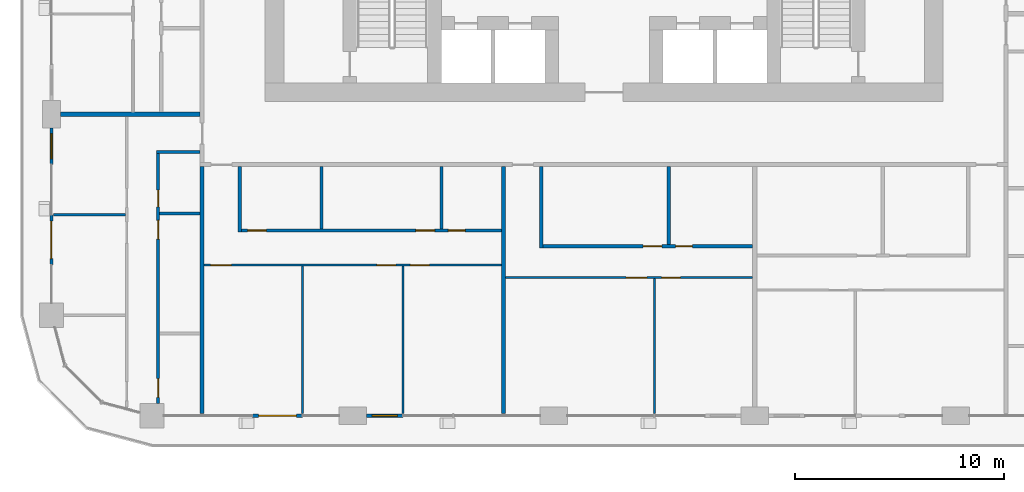
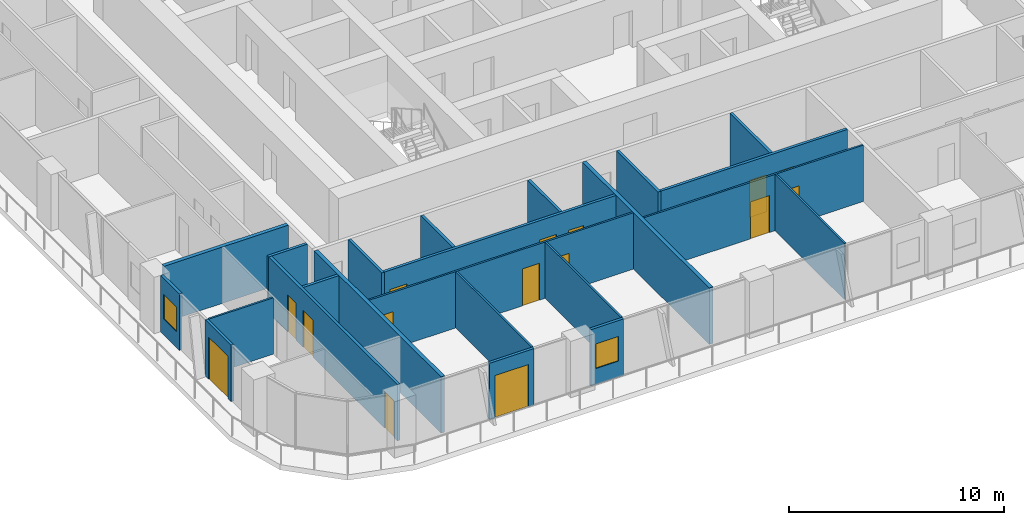
# One storey, part 9 of 22: 23 walls, 15 doors, 2 windows, 17 openings.
"""IFC4 building model written with IfcOpenShell, lengths in metres."""

from ifc_helpers import new_model, si_unit, direction, frame, frame_2d, origin, place, context, subcontext, project, spatial, rectangle, extrude, material, layer, layer_set, type_object, element, fill, save


model = new_model("IFC4")

# Units and contexts
model_context = context("Model", 3, precision=1e-05, world=origin(), true_north=direction((0.0, 1.0)))
body_context = subcontext(model_context, "Body", "Model", "MODEL_VIEW")
ifc_project = project(units=[si_unit("LENGTHUNIT", "METRE"), si_unit("AREAUNIT", "SQUARE_METRE"), si_unit("VOLUMEUNIT", "CUBIC_METRE"), si_unit("PLANEANGLEUNIT", "RADIAN"), si_unit("MASSUNIT", "GRAM", prefix="KILO")], contexts=[model_context])

# Site, building, storey
site_placement = place(None, origin())
site = spatial("IfcSite", under=ifc_project, at=site_placement, CompositionType="ELEMENT")
building_placement = place(site_placement, origin())
building = spatial("IfcBuilding", under=site, at=building_placement, Name="Madar Terraces", CompositionType="ELEMENT")
storey_placement = place(building_placement, frame((0.0, 0.0, 76.800048828125)))
storey = spatial("IfcBuildingStorey", under=building, at=storey_placement, Name="L19", CompositionType="ELEMENT", Elevation=76.800048828125)

# Wall, opening, door
ifc_material_1 = material(Name="Aluminium composite panel, black, over insulated backing", Category="aluminium")
ifc_layer_1 = layer(ifc_material_1, 0.14990234375)
ifc_layer_set_1 = layer_set([ifc_layer_1], Name="Facade bay panel 150")
wall_type_1 = type_object("IfcWallType", Name="Facade bay panel 150", PredefinedType="SOLIDWALL", material=ifc_layer_set_1)
wall_1_placement = place(storey_placement, frame((14.39990234375, 0.0, 0.0), z_axis=(0.0, 0.0, 1.0), x_axis=(1.0, 0.0, 0.0)))
wall_1 = element("IfcWall", 1, at=wall_1_placement, inside=storey, type_object=wall_type_1, Name="Facade bay panel", PredefinedType="SOLIDWALL", context=body_context, shape_type="SweptSolid", body=[
    extrude(rectangle(XDim=2.400146484375, YDim=0.14990234375, at=frame_2d((1.2001953125, 0.0))), origin(), (0.0, 0.0, 1.0), 3.199951171875),
])
opening_1_placement = place(wall_1_placement, frame((0.300048828125, 0.0, 0.0)))
opening_1 = element("IfcOpeningElement", 2, at=opening_1_placement, cuts=wall_1, Name="Opening ED1", PredefinedType="OPENING", context=body_context, shape_type="SweptSolid", body=[
    extrude(rectangle(XDim=1.800048828125, YDim=2.39990234375, at=frame_2d((0.89990234375, 1.199951171875))), frame((0.0, 0.0849609375, 0.0), z_axis=(0.0, -1.0, 0.0), x_axis=(1.0, 0.0, 0.0)), (0.0, 0.0, 1.0), 0.169921875),
])
ifc_material_2 = material(Name="Glass, clear, with black aluminium frame", Category="aluminium")
door_type_1 = type_object("IfcDoorType", Name="Balcony and terrace sliding door 1800 x 2400", OperationType="SLIDING_TO_LEFT", PredefinedType="DOOR", material=ifc_material_2)
door_1_placement = place(opening_1_placement, origin())
door_1 = element("IfcDoor", 3, at=door_1_placement, inside=storey, type_object=door_type_1, Name="Balcony door", OperationType="SLIDING_TO_LEFT", OverallHeight=2.39990234375, OverallWidth=1.800048828125, PredefinedType="DOOR", context=body_context, shape_type="SweptSolid", body=[
    extrude(rectangle(XDim=1.800048828125, YDim=2.39990234375, at=frame_2d((0.89990234375, 1.199951171875))), frame((0.0, 0.02490234375, 0.0), z_axis=(0.0, -1.0, 0.0), x_axis=(1.0, 0.0, 0.0)), (0.0, 0.0, 1.0), 0.050048828125),
])
fill(opening_1, door_1)

# Wall, opening, window
wall_2_placement = place(storey_placement, frame((19.85009765625, 0.0, 0.0), z_axis=(0.0, 0.0, 1.0), x_axis=(1.0, 0.0, 0.0)))
wall_2 = element("IfcWall", 4, at=wall_2_placement, inside=storey, type_object=wall_type_1, Name="Facade bay panel", PredefinedType="SOLIDWALL", context=body_context, shape_type="SweptSolid", body=[
    extrude(rectangle(XDim=1.75, YDim=0.14990234375, at=frame_2d((0.875, 0.0))), origin(), (0.0, 0.0, 1.0), 3.199951171875),
])
opening_2_placement = place(wall_2_placement, frame((0.27490234375, 0.0, 0.89990234375)))
opening_2 = element("IfcOpeningElement", 5, at=opening_2_placement, cuts=wall_2, Name="Opening W1", PredefinedType="OPENING", context=body_context, shape_type="SweptSolid", body=[
    extrude(rectangle(XDim=1.199951171875, YDim=1.39990234375, at=frame_2d((0.60009765625, 0.699951171875))), frame((0.0, 0.0849609375, 0.0), z_axis=(0.0, -1.0, 0.0), x_axis=(1.0, 0.0, 0.0)), (0.0, 0.0, 1.0), 0.169921875),
])
ifc_material_3 = material(Name="Glass, clear, with black aluminium frame", Category="aluminium")
window_type = type_object("IfcWindowType", Name="Vent window 1200 x 1400", PartitioningType="SINGLE_PANEL", PredefinedType="WINDOW", material=ifc_material_3)
window_1_placement = place(opening_2_placement, origin())
window_1 = element("IfcWindow", 6, at=window_1_placement, inside=storey, type_object=window_type, Name="Operable vent window", OverallHeight=1.39990234375, OverallWidth=1.199951171875, PartitioningType="SINGLE_PANEL", PredefinedType="WINDOW", context=body_context, shape_type="SweptSolid", body=[
    extrude(rectangle(XDim=1.199951171875, YDim=1.39990234375, at=frame_2d((0.60009765625, 0.699951171875))), frame((0.0, 0.030029296875, 0.0), z_axis=(0.0, -1.0, 0.0), x_axis=(1.0, 0.0, 0.0)), (0.0, 0.0, 1.0), 0.06005859375),
])
fill(opening_2, window_1)

wall_3_placement = place(storey_placement, frame((4.800048828125, 13.75, 0.0), z_axis=(0.0, 0.0, 1.0), x_axis=(0.0, -1.0, 0.0)))
wall_3 = element("IfcWall", 7, at=wall_3_placement, inside=storey, type_object=wall_type_1, Name="Facade bay panel", PredefinedType="SOLIDWALL", context=body_context, shape_type="SweptSolid", body=[
    extrude(rectangle(XDim=1.75, YDim=0.14990234375, at=frame_2d((0.875, 0.0))), origin(), (0.0, 0.0, 1.0), 3.199951171875),
])
opening_3_placement = place(wall_3_placement, frame((0.27490234375, 0.0, 0.89990234375)))
opening_3 = element("IfcOpeningElement", 8, at=opening_3_placement, cuts=wall_3, Name="Opening W1", PredefinedType="OPENING", context=body_context, shape_type="SweptSolid", body=[
    extrude(rectangle(XDim=1.199951171875, YDim=1.39990234375, at=frame_2d((0.60009765625, 0.699951171875))), frame((0.0, 0.0849609375, 0.0), z_axis=(0.0, -1.0, 0.0), x_axis=(1.0, 0.0, 0.0)), (0.0, 0.0, 1.0), 0.169921875),
])
window_2_placement = place(opening_3_placement, origin())
window_2 = element("IfcWindow", 9, at=window_2_placement, inside=storey, type_object=window_type, Name="Operable vent window", OverallHeight=1.39990234375, OverallWidth=1.199951171875, PartitioningType="SINGLE_PANEL", PredefinedType="WINDOW", context=body_context, shape_type="SweptSolid", body=[
    extrude(rectangle(XDim=1.199951171875, YDim=1.39990234375, at=frame_2d((0.60009765625, 0.699951171875))), frame((0.0, 0.030029296875, 0.0), z_axis=(0.0, -1.0, 0.0), x_axis=(1.0, 0.0, 0.0)), (0.0, 0.0, 1.0), 0.06005859375),
])
fill(opening_3, window_2)

# Wall, opening, door
wall_4_placement = place(storey_placement, frame((4.800048828125, 9.60009765625, 0.0), z_axis=(0.0, 0.0, 1.0), x_axis=(0.0, -1.0, 0.0)))
wall_4 = element("IfcWall", 10, at=wall_4_placement, inside=storey, type_object=wall_type_1, Name="Facade bay panel", PredefinedType="SOLIDWALL", context=body_context, shape_type="SweptSolid", body=[
    extrude(rectangle(XDim=2.400146484375, YDim=0.14990234375, at=frame_2d((1.2001953125, 0.0))), origin(), (0.0, 0.0, 1.0), 3.199951171875),
])
opening_4_placement = place(wall_4_placement, frame((0.300048828125, 0.0, 0.0)))
opening_4 = element("IfcOpeningElement", 11, at=opening_4_placement, cuts=wall_4, Name="Opening ED1", PredefinedType="OPENING", context=body_context, shape_type="SweptSolid", body=[
    extrude(rectangle(XDim=1.800048828125, YDim=2.39990234375, at=frame_2d((0.89990234375, 1.199951171875))), frame((0.0, 0.0849609375, 0.0), z_axis=(0.0, -1.0, 0.0), x_axis=(1.0, 0.0, 0.0)), (0.0, 0.0, 1.0), 0.169921875),
])
door_2_placement = place(opening_4_placement, origin())
door_2 = element("IfcDoor", 12, at=door_2_placement, inside=storey, type_object=door_type_1, Name="Balcony door", OperationType="SLIDING_TO_LEFT", OverallHeight=2.39990234375, OverallWidth=1.800048828125, PredefinedType="DOOR", context=body_context, shape_type="SweptSolid", body=[
    extrude(rectangle(XDim=1.800048828125, YDim=2.39990234375, at=frame_2d((0.89990234375, 1.199951171875))), frame((0.0, 0.02490234375, 0.0), z_axis=(0.0, -1.0, 0.0), x_axis=(1.0, 0.0, 0.0)), (0.0, 0.0, 1.0), 0.050048828125),
])
fill(opening_4, door_2)

# Walls
ifc_material_4 = material(Name="Gypsum board on steel studs", Category="steel")
ifc_layer_2 = layer(ifc_material_4, 0.10009765625)
ifc_layer_set_2 = layer_set([ifc_layer_2], Name="Flat partition 100")
wall_type_2 = type_object("IfcWallType", Name="Flat partition 100", PredefinedType="PARTITIONING", material=ifc_layer_set_2)
for number, where, z_axis, x_axis, name in (
    (13, (16.800048828125, 7.14990234375, 0.0), (0.0, 0.0, 1.0), (0.0, -1.0, 0.0), "Flat partition 100"),
    (14, (21.60009765625, 7.14990234375, 0.0), (0.0, 0.0, 1.0), (0.0, -1.0, 0.0), "Flat partition 100"),
):
    element("IfcWall", number, at=place(storey_placement, frame(where, z_axis=z_axis, x_axis=x_axis)), inside=storey, type_object=wall_type_2, Name=name, PredefinedType="PARTITIONING", context=body_context, shape_type="SweptSolid", body=[
        extrude(rectangle(XDim=7.0498046875, YDim=0.10009765625, at=frame_2d((3.52490234375, 0.0))), origin(), (0.0, 0.0, 1.0), 3.199951171875),
    ])

# Wall, openings, doors
wall_5_placement = place(storey_placement, frame((26.300048828125, 7.199951171875, 0.0), z_axis=(0.0, 0.0, 1.0), x_axis=(-1.0, 0.0, 0.0)))
wall_5 = element("IfcWall", 15, at=wall_5_placement, inside=storey, type_object=wall_type_2, Name="Flat partition 100", PredefinedType="PARTITIONING", context=body_context, shape_type="SweptSolid", body=[
    extrude(rectangle(XDim=14.199951171875, YDim=0.10009765625, at=frame_2d((7.10009765625, 0.0))), origin(), (0.0, 0.0, 1.0), 3.199951171875),
])
opening_5_placement = place(wall_5_placement, frame((12.89990234375, 0.0, 0.0)))
opening_5 = element("IfcOpeningElement", 16, at=opening_5_placement, cuts=wall_5, Name="Opening D3", PredefinedType="OPENING", context=body_context, shape_type="SweptSolid", body=[
    extrude(rectangle(XDim=1.0, YDim=2.10009765625, at=frame_2d((0.5, 1.050048828125))), frame((0.0, 0.06005859375, 0.0), z_axis=(0.0, -1.0, 0.0), x_axis=(1.0, 0.0, 0.0)), (0.0, 0.0, 1.0), 0.1201171875),
])
opening_6_placement = place(wall_5_placement, frame((5.050048828125, 0.0, 0.0)))
opening_6 = element("IfcOpeningElement", 17, at=opening_6_placement, cuts=wall_5, Name="Opening D2", PredefinedType="OPENING", context=body_context, shape_type="SweptSolid", body=[
    extrude(rectangle(XDim=0.89990234375, YDim=2.10009765625, at=frame_2d((0.449951171875, 1.050048828125))), frame((0.0, 0.06005859375, 0.0), z_axis=(0.0, -1.0, 0.0), x_axis=(1.0, 0.0, 0.0)), (0.0, 0.0, 1.0), 0.1201171875),
])
opening_7_placement = place(wall_5_placement, frame((3.449951171875, 0.0, 0.0)))
opening_7 = element("IfcOpeningElement", 18, at=opening_7_placement, cuts=wall_5, Name="Opening D2", PredefinedType="OPENING", context=body_context, shape_type="SweptSolid", body=[
    extrude(rectangle(XDim=0.89990234375, YDim=2.10009765625, at=frame_2d((0.449951171875, 1.050048828125))), frame((0.0, 0.06005859375, 0.0), z_axis=(0.0, -1.0, 0.0), x_axis=(1.0, 0.0, 0.0)), (0.0, 0.0, 1.0), 0.1201171875),
])
ifc_material_5 = material(Name="Timber door leaf", Category="wood")
door_type_2 = type_object("IfcDoorType", Name="Flat living room door 1000", OperationType="NOTDEFINED", PredefinedType="DOOR", material=ifc_material_5)
door_3_placement = place(opening_5_placement, origin())
door_3 = element("IfcDoor", 19, at=door_3_placement, inside=storey, type_object=door_type_2, Name="Flat living room door 1000", OperationType="SINGLE_SWING_RIGHT", OverallHeight=2.10009765625, OverallWidth=1.0, PredefinedType="DOOR", context=body_context, shape_type="SweptSolid", body=[
    extrude(rectangle(XDim=1.0, YDim=2.10009765625, at=frame_2d((0.5, 1.050048828125))), frame((0.0, 0.02490234375, 0.0), z_axis=(0.0, -1.0, 0.0), x_axis=(1.0, 0.0, 0.0)), (0.0, 0.0, 1.0), 0.050048828125),
])
fill(opening_5, door_3)
ifc_material_6 = material(Name="Timber door leaf", Category="wood")
door_type_3 = type_object("IfcDoorType", Name="Flat room door 900", OperationType="NOTDEFINED", PredefinedType="DOOR", material=ifc_material_6)
door_4_placement = place(opening_6_placement, origin())
door_4 = element("IfcDoor", 20, at=door_4_placement, inside=storey, type_object=door_type_3, Name="Flat room door 900", OperationType="SINGLE_SWING_LEFT", OverallHeight=2.10009765625, OverallWidth=0.89990234375, PredefinedType="DOOR", context=body_context, shape_type="SweptSolid", body=[
    extrude(rectangle(XDim=0.89990234375, YDim=2.10009765625, at=frame_2d((0.449951171875, 1.050048828125))), frame((0.0, 0.02490234375, 0.0), z_axis=(0.0, -1.0, 0.0), x_axis=(1.0, 0.0, 0.0)), (0.0, 0.0, 1.0), 0.050048828125),
])
fill(opening_6, door_4)
door_5_placement = place(opening_7_placement, origin())
door_5 = element("IfcDoor", 21, at=door_5_placement, inside=storey, type_object=door_type_3, Name="Flat room door 900", OperationType="SINGLE_SWING_RIGHT", OverallHeight=2.10009765625, OverallWidth=0.89990234375, PredefinedType="DOOR", context=body_context, shape_type="SweptSolid", body=[
    extrude(rectangle(XDim=0.89990234375, YDim=2.10009765625, at=frame_2d((0.449951171875, 1.050048828125))), frame((0.0, 0.02490234375, 0.0), z_axis=(0.0, -1.0, 0.0), x_axis=(1.0, 0.0, 0.0)), (0.0, 0.0, 1.0), 0.050048828125),
])
fill(opening_7, door_5)

# Wall
wall_6_placement = place(storey_placement, frame((33.60009765625, 6.550048828125, 0.0), z_axis=(0.0, 0.0, 1.0), x_axis=(0.0, -1.0, 0.0)))
element("IfcWall", 22, at=wall_6_placement, inside=storey, type_object=wall_type_2, Name="Flat partition 100", PredefinedType="PARTITIONING", context=body_context, shape_type="SweptSolid", body=[
    extrude(rectangle(XDim=6.449951171875, YDim=0.10009765625, at=frame_2d((3.22509765625, 0.0))), origin(), (0.0, 0.0, 1.0), 3.199951171875),
])

# Wall, openings, doors
wall_7_placement = place(storey_placement, frame((38.300048828125, 6.60009765625, 0.0), z_axis=(0.0, 0.0, 1.0), x_axis=(-1.0, 0.0, 0.0)))
wall_7 = element("IfcWall", 23, at=wall_7_placement, inside=storey, type_object=wall_type_2, Name="Flat partition 100", PredefinedType="PARTITIONING", context=body_context, shape_type="SweptSolid", body=[
    extrude(rectangle(XDim=11.800048828125, YDim=0.10009765625, at=frame_2d((5.89990234375, 0.0))), origin(), (0.0, 0.0, 1.0), 3.199951171875),
])
opening_8_placement = place(wall_7_placement, frame((5.050048828125, 0.0, 0.0)))
opening_8 = element("IfcOpeningElement", 24, at=opening_8_placement, cuts=wall_7, Name="Opening D3", PredefinedType="OPENING", context=body_context, shape_type="SweptSolid", body=[
    extrude(rectangle(XDim=1.0, YDim=2.10009765625, at=frame_2d((0.5, 1.050048828125))), frame((0.0, 0.06005859375, 0.0), z_axis=(0.0, -1.0, 0.0), x_axis=(1.0, 0.0, 0.0)), (0.0, 0.0, 1.0), 0.1201171875),
])
opening_9_placement = place(wall_7_placement, frame((3.449951171875, 0.0, 0.0)))
opening_9 = element("IfcOpeningElement", 25, at=opening_9_placement, cuts=wall_7, Name="Opening D2", PredefinedType="OPENING", context=body_context, shape_type="SweptSolid", body=[
    extrude(rectangle(XDim=0.89990234375, YDim=2.10009765625, at=frame_2d((0.449951171875, 1.050048828125))), frame((0.0, 0.06005859375, 0.0), z_axis=(0.0, -1.0, 0.0), x_axis=(1.0, 0.0, 0.0)), (0.0, 0.0, 1.0), 0.1201171875),
])
door_6_placement = place(opening_8_placement, origin())
door_6 = element("IfcDoor", 26, at=door_6_placement, inside=storey, type_object=door_type_2, Name="Flat living room door 1000", OperationType="SINGLE_SWING_LEFT", OverallHeight=2.10009765625, OverallWidth=1.0, PredefinedType="DOOR", context=body_context, shape_type="SweptSolid", body=[
    extrude(rectangle(XDim=1.0, YDim=2.10009765625, at=frame_2d((0.5, 1.050048828125))), frame((0.0, 0.02490234375, 0.0), z_axis=(0.0, -1.0, 0.0), x_axis=(1.0, 0.0, 0.0)), (0.0, 0.0, 1.0), 0.050048828125),
])
fill(opening_8, door_6)
door_7_placement = place(opening_9_placement, origin())
door_7 = element("IfcDoor", 27, at=door_7_placement, inside=storey, type_object=door_type_3, Name="Flat room door 900", OperationType="SINGLE_SWING_RIGHT", OverallHeight=2.10009765625, OverallWidth=0.89990234375, PredefinedType="DOOR", context=body_context, shape_type="SweptSolid", body=[
    extrude(rectangle(XDim=0.89990234375, YDim=2.10009765625, at=frame_2d((0.449951171875, 1.050048828125))), frame((0.0, 0.02490234375, 0.0), z_axis=(0.0, -1.0, 0.0), x_axis=(1.0, 0.0, 0.0)), (0.0, 0.0, 1.0), 0.050048828125),
])
fill(opening_9, door_7)

# Walls
wall_8_placement = place(storey_placement, frame((8.35009765625, 9.60009765625, 0.0), z_axis=(0.0, 0.0, 1.0), x_axis=(-1.0, 0.0, 0.0)))
element("IfcWall", 28, at=wall_8_placement, inside=storey, type_object=wall_type_2, Name="Flat partition 100", PredefinedType="PARTITIONING", context=body_context, shape_type="SweptSolid", body=[
    extrude(rectangle(XDim=3.4501953125, YDim=0.10009765625, at=frame_2d((1.72509765625, 0.0))), origin(), (0.0, 0.0, 1.0), 3.199951171875),
])
ifc_material_7 = material(Name="Lightweight blockwork", Category="masonry")
ifc_layer_3 = layer(ifc_material_7, 0.199951171875)
ifc_layer_set_3 = layer_set([ifc_layer_3], Name="Flat party and entrance wall 200")
wall_type_3 = type_object("IfcWallType", Name="Flat party and entrance wall 200", PredefinedType="PARTITIONING", material=ifc_layer_set_3)
for number, where, z_axis, x_axis, name in (
    (29, (26.39990234375, 11.89990234375, 0.0), (0.0, 0.0, 1.0), (0.0, -1.0, 0.0), "Flat party and entrance wall 200"),
    (30, (12.0, 0.10009765625, 0.0), (0.0, 0.0, 1.0), (0.0, 1.0, 0.0), "Flat party and entrance wall 200"),
):
    element("IfcWall", number, at=place(storey_placement, frame(where, z_axis=z_axis, x_axis=x_axis)), inside=storey, type_object=wall_type_3, Name=name, PredefinedType="PARTITIONING", context=body_context, shape_type="SweptSolid", body=[
        extrude(rectangle(XDim=11.7998046875, YDim=0.199951171875, at=frame_2d((5.89990234375, 0.0))), origin(), (0.0, 0.0, 1.0), 3.199951171875),
    ])
wall_9_placement = place(storey_placement, frame((5.22509765625, 14.39990234375, 0.0), z_axis=(0.0, 0.0, 1.0), x_axis=(1.0, 0.0, 0.0)))
element("IfcWall", 31, at=wall_9_placement, inside=storey, type_object=wall_type_3, Name="Flat party and entrance wall 200", PredefinedType="PARTITIONING", context=body_context, shape_type="SweptSolid", body=[
    extrude(rectangle(XDim=6.6748046875, YDim=0.199951171875, at=frame_2d((3.33740234375, 0.0))), origin(), (0.0, 0.0, 1.0), 3.199951171875),
])
ifc_material_8 = material(Name="Lightweight blockwork", Category="masonry")
ifc_layer_4 = layer(ifc_material_8, 0.14990234375)
ifc_layer_set_4 = layer_set([ifc_layer_4], Name="Flat wet-room partition 150")
wall_type_4 = type_object("IfcWallType", Name="Flat wet-room partition 150", PredefinedType="PARTITIONING", material=ifc_layer_set_4)
for number, where, z_axis, x_axis, name in (
    (32, (17.697998046875, 11.89990234375, 0.0), (0.0, 0.0, 1.0), (0.0, -1.0, 0.0), "Flat wet-room partition 150"),
    (33, (23.4326171875, 11.89990234375, 0.0), (0.0, 0.0, 1.0), (0.0, -1.0, 0.0), "Flat wet-room partition 150"),
):
    element("IfcWall", number, at=place(storey_placement, frame(where, z_axis=z_axis, x_axis=x_axis)), inside=storey, type_object=wall_type_4, Name=name, PredefinedType="PARTITIONING", context=body_context, shape_type="SweptSolid", body=[
        extrude(rectangle(XDim=2.974853515625, YDim=0.14990234375, at=frame_2d((1.4873046875, 0.0))), origin(), (0.0, 0.0, 1.0), 3.199951171875),
    ])
wall_10_placement = place(storey_placement, frame((13.800048828125, 11.89990234375, 0.0), z_axis=(0.0, 0.0, 1.0), x_axis=(0.0, -1.0, 0.0)))
element("IfcWall", 34, at=wall_10_placement, inside=storey, type_object=wall_type_4, Name="Flat wet-room partition 150", PredefinedType="PARTITIONING", context=body_context, shape_type="SweptSolid", body=[
    extrude(rectangle(XDim=3.125, YDim=0.14990234375, at=frame_2d((1.5625, 0.0))), origin(), (0.0, 0.0, 1.0), 3.199951171875),
])

# Wall, openings, doors
wall_11_placement = place(storey_placement, frame((13.875, 8.85009765625, 0.0), z_axis=(0.0, 0.0, 1.0), x_axis=(1.0, 0.0, 0.0)))
wall_11 = element("IfcWall", 35, at=wall_11_placement, inside=storey, type_object=wall_type_4, Name="Flat wet-room partition 150", PredefinedType="PARTITIONING", context=body_context, shape_type="SweptSolid", body=[
    extrude(rectangle(XDim=12.425048828125, YDim=0.14990234375, at=frame_2d((6.21240234375, 0.0))), origin(), (0.0, 0.0, 1.0), 3.199951171875),
])
opening_10_placement = place(wall_11_placement, frame((0.300048828125, 0.0, 0.0)))
opening_10 = element("IfcOpeningElement", 36, at=opening_10_placement, cuts=wall_11, Name="Opening D5", PredefinedType="OPENING", context=body_context, shape_type="SweptSolid", body=[
    extrude(rectangle(XDim=0.89990234375, YDim=2.10009765625, at=frame_2d((0.449951171875, 1.050048828125))), frame((0.0, 0.0849609375, 0.0), z_axis=(0.0, -1.0, 0.0), x_axis=(1.0, 0.0, 0.0)), (0.0, 0.0, 1.0), 0.169921875),
])
opening_11_placement = place(wall_11_placement, frame((8.332763671875, 0.0, 0.0)))
opening_11 = element("IfcOpeningElement", 37, at=opening_11_placement, cuts=wall_11, Name="Opening D2", PredefinedType="OPENING", context=body_context, shape_type="SweptSolid", body=[
    extrude(rectangle(XDim=0.89990234375, YDim=2.10009765625, at=frame_2d((0.449951171875, 1.050048828125))), frame((0.0, 0.0849609375, 0.0), z_axis=(0.0, -1.0, 0.0), x_axis=(1.0, 0.0, 0.0)), (0.0, 0.0, 1.0), 0.169921875),
])
opening_12_placement = place(wall_11_placement, frame((9.8828125, 0.0, 0.0)))
opening_12 = element("IfcOpeningElement", 38, at=opening_12_placement, cuts=wall_11, Name="Opening D4", PredefinedType="OPENING", context=body_context, shape_type="SweptSolid", body=[
    extrude(rectangle(XDim=0.800048828125, YDim=2.10009765625, at=frame_2d((0.39990234375, 1.050048828125))), frame((0.0, 0.0849609375, 0.0), z_axis=(0.0, -1.0, 0.0), x_axis=(1.0, 0.0, 0.0)), (0.0, 0.0, 1.0), 0.169921875),
])
ifc_material_9 = material(Name="Timber door leaf", Category="wood")
door_type_4 = type_object("IfcDoorType", Name="Flat accessible bathroom door 900", OperationType="NOTDEFINED", PredefinedType="DOOR", material=ifc_material_9)
door_8_placement = place(opening_10_placement, origin())
door_8 = element("IfcDoor", 39, at=door_8_placement, inside=storey, type_object=door_type_4, Name="Flat accessible bathroom door 900", OperationType="SINGLE_SWING_LEFT", OverallHeight=2.10009765625, OverallWidth=0.89990234375, PredefinedType="DOOR", context=body_context, shape_type="SweptSolid", body=[
    extrude(rectangle(XDim=0.89990234375, YDim=2.10009765625, at=frame_2d((0.449951171875, 1.050048828125))), frame((0.0, 0.02490234375, 0.0), z_axis=(0.0, -1.0, 0.0), x_axis=(1.0, 0.0, 0.0)), (0.0, 0.0, 1.0), 0.050048828125),
])
fill(opening_10, door_8)
ifc_material_10 = material(Name="Timber door leaf", Category="wood")
door_type_5 = type_object("IfcDoorType", Name="Flat bathroom door 800", OperationType="NOTDEFINED", PredefinedType="DOOR", material=ifc_material_10)
door_9_placement = place(opening_12_placement, origin())
door_9 = element("IfcDoor", 40, at=door_9_placement, inside=storey, type_object=door_type_5, Name="Flat bathroom door 800", OperationType="SINGLE_SWING_LEFT", OverallHeight=2.10009765625, OverallWidth=0.800048828125, PredefinedType="DOOR", context=body_context, shape_type="SweptSolid", body=[
    extrude(rectangle(XDim=0.800048828125, YDim=2.10009765625, at=frame_2d((0.39990234375, 1.050048828125))), frame((0.0, 0.02490234375, 0.0), z_axis=(0.0, -1.0, 0.0), x_axis=(1.0, 0.0, 0.0)), (0.0, 0.0, 1.0), 0.050048828125),
])
fill(opening_12, door_9)
door_10_placement = place(opening_11_placement, origin())
door_10 = element("IfcDoor", 41, at=door_10_placement, inside=storey, type_object=door_type_3, Name="Flat room door 900", OperationType="SINGLE_SWING_RIGHT", OverallHeight=2.10009765625, OverallWidth=0.89990234375, PredefinedType="DOOR", context=body_context, shape_type="SweptSolid", body=[
    extrude(rectangle(XDim=0.89990234375, YDim=2.10009765625, at=frame_2d((0.449951171875, 1.050048828125))), frame((0.0, 0.02490234375, 0.0), z_axis=(0.0, -1.0, 0.0), x_axis=(1.0, 0.0, 0.0)), (0.0, 0.0, 1.0), 0.050048828125),
])
fill(opening_11, door_10)

# Walls
wall_12_placement = place(storey_placement, frame((34.2900390625, 11.89990234375, 0.0), z_axis=(0.0, 0.0, 1.0), x_axis=(0.0, -1.0, 0.0)))
element("IfcWall", 42, at=wall_12_placement, inside=storey, type_object=wall_type_4, Name="Flat wet-room partition 150", PredefinedType="PARTITIONING", context=body_context, shape_type="SweptSolid", body=[
    extrude(rectangle(XDim=3.724853515625, YDim=0.14990234375, at=frame_2d((1.8623046875, 0.0))), origin(), (0.0, 0.0, 1.0), 3.199951171875),
])
wall_13_placement = place(storey_placement, frame((28.199951171875, 11.89990234375, 0.0), z_axis=(0.0, 0.0, 1.0), x_axis=(0.0, -1.0, 0.0)))
element("IfcWall", 43, at=wall_13_placement, inside=storey, type_object=wall_type_4, Name="Flat wet-room partition 150", PredefinedType="PARTITIONING", context=body_context, shape_type="SweptSolid", body=[
    extrude(rectangle(XDim=3.875, YDim=0.14990234375, at=frame_2d((1.9375, 0.0))), origin(), (0.0, 0.0, 1.0), 3.199951171875),
])

# Wall, openings, doors
wall_14_placement = place(storey_placement, frame((28.27490234375, 8.10009765625, 0.0), z_axis=(0.0, 0.0, 1.0), x_axis=(1.0, 0.0, 0.0)))
wall_14 = element("IfcWall", 44, at=wall_14_placement, inside=storey, type_object=wall_type_4, Name="Flat wet-room partition 150", PredefinedType="PARTITIONING", context=body_context, shape_type="SweptSolid", body=[
    extrude(rectangle(XDim=10.025146484375, YDim=0.14990234375, at=frame_2d((5.0126953125, 0.0))), origin(), (0.0, 0.0, 1.0), 3.199951171875),
])
opening_13_placement = place(wall_14_placement, frame((4.7900390625, 0.0, 0.0)))
opening_13 = element("IfcOpeningElement", 45, at=opening_13_placement, cuts=wall_14, Name="Opening D2", PredefinedType="OPENING", context=body_context, shape_type="SweptSolid", body=[
    extrude(rectangle(XDim=0.89990234375, YDim=2.10009765625, at=frame_2d((0.449951171875, 1.050048828125))), frame((0.0, 0.0849609375, 0.0), z_axis=(0.0, -1.0, 0.0), x_axis=(1.0, 0.0, 0.0)), (0.0, 0.0, 1.0), 0.169921875),
])
opening_14_placement = place(wall_14_placement, frame((6.340087890625, 0.0, 0.0)))
opening_14 = element("IfcOpeningElement", 46, at=opening_14_placement, cuts=wall_14, Name="Opening D4", PredefinedType="OPENING", context=body_context, shape_type="SweptSolid", body=[
    extrude(rectangle(XDim=0.800048828125, YDim=2.10009765625, at=frame_2d((0.39990234375, 1.050048828125))), frame((0.0, 0.0849609375, 0.0), z_axis=(0.0, -1.0, 0.0), x_axis=(1.0, 0.0, 0.0)), (0.0, 0.0, 1.0), 0.169921875),
])
door_11_placement = place(opening_14_placement, origin())
door_11 = element("IfcDoor", 47, at=door_11_placement, inside=storey, type_object=door_type_5, Name="Flat bathroom door 800", OperationType="SINGLE_SWING_LEFT", OverallHeight=2.10009765625, OverallWidth=0.800048828125, PredefinedType="DOOR", context=body_context, shape_type="SweptSolid", body=[
    extrude(rectangle(XDim=0.800048828125, YDim=2.10009765625, at=frame_2d((0.39990234375, 1.050048828125))), frame((0.0, 0.02490234375, 0.0), z_axis=(0.0, -1.0, 0.0), x_axis=(1.0, 0.0, 0.0)), (0.0, 0.0, 1.0), 0.050048828125),
])
fill(opening_14, door_11)
door_12_placement = place(opening_13_placement, origin())
door_12 = element("IfcDoor", 48, at=door_12_placement, inside=storey, type_object=door_type_3, Name="Flat room door 900", OperationType="SINGLE_SWING_RIGHT", OverallHeight=2.10009765625, OverallWidth=0.89990234375, PredefinedType="DOOR", context=body_context, shape_type="SweptSolid", body=[
    extrude(rectangle(XDim=0.89990234375, YDim=2.10009765625, at=frame_2d((0.449951171875, 1.050048828125))), frame((0.0, 0.02490234375, 0.0), z_axis=(0.0, -1.0, 0.0), x_axis=(1.0, 0.0, 0.0)), (0.0, 0.0, 1.0), 0.050048828125),
])
fill(opening_13, door_12)

# Walls
wall_15_placement = place(storey_placement, frame((11.89990234375, 9.65771484375, 0.0), z_axis=(0.0, 0.0, 1.0), x_axis=(-1.0, 0.0, 0.0)))
element("IfcWall", 49, at=wall_15_placement, inside=storey, type_object=wall_type_4, Name="Flat wet-room partition 150", PredefinedType="PARTITIONING", context=body_context, shape_type="SweptSolid", body=[
    extrude(rectangle(XDim=1.9248046875, YDim=0.14990234375, at=frame_2d((0.96240234375, 0.0))), origin(), (0.0, 0.0, 1.0), 3.199951171875),
])
wall_16_placement = place(storey_placement, frame((11.89990234375, 12.60009765625, 0.0), z_axis=(0.0, 0.0, 1.0), x_axis=(-1.0, 0.0, 0.0)))
element("IfcWall", 50, at=wall_16_placement, inside=storey, type_object=wall_type_4, Name="Flat wet-room partition 150", PredefinedType="PARTITIONING", context=body_context, shape_type="SweptSolid", body=[
    extrude(rectangle(XDim=2.074951171875, YDim=0.14990234375, at=frame_2d((1.03759765625, 0.0))), origin(), (0.0, 0.0, 1.0), 3.199951171875),
])

# Wall, openings, doors
wall_17_placement = place(storey_placement, frame((9.89990234375, 12.52490234375, 0.0), z_axis=(0.0, 0.0, 1.0), x_axis=(0.0, -1.0, 0.0)))
wall_17 = element("IfcWall", 51, at=wall_17_placement, inside=storey, type_object=wall_type_4, Name="Flat wet-room partition 150", PredefinedType="PARTITIONING", context=body_context, shape_type="SweptSolid", body=[
    extrude(rectangle(XDim=11.949951171875, YDim=0.14990234375, at=frame_2d((5.97509765625, 0.0))), origin(), (0.0, 0.0, 1.0), 3.199951171875),
])
opening_15_placement = place(wall_17_placement, frame((1.7421875, 0.0, 0.0)))
opening_15 = element("IfcOpeningElement", 52, at=opening_15_placement, cuts=wall_17, Name="Opening D4", PredefinedType="OPENING", context=body_context, shape_type="SweptSolid", body=[
    extrude(rectangle(XDim=0.800048828125, YDim=2.10009765625, at=frame_2d((0.39990234375, 1.050048828125))), frame((0.0, 0.0849609375, 0.0), z_axis=(0.0, -1.0, 0.0), x_axis=(1.0, 0.0, 0.0)), (0.0, 0.0, 1.0), 0.169921875),
])
opening_16_placement = place(wall_17_placement, frame((3.1923828125, 0.0, 0.0)))
opening_16 = element("IfcOpeningElement", 53, at=opening_16_placement, cuts=wall_17, Name="Opening D2", PredefinedType="OPENING", context=body_context, shape_type="SweptSolid", body=[
    extrude(rectangle(XDim=0.89990234375, YDim=2.10009765625, at=frame_2d((0.449951171875, 1.050048828125))), frame((0.0, 0.0849609375, 0.0), z_axis=(0.0, -1.0, 0.0), x_axis=(1.0, 0.0, 0.0)), (0.0, 0.0, 1.0), 0.169921875),
])
opening_17_placement = place(wall_17_placement, frame((10.75, 0.0, 0.0)))
opening_17 = element("IfcOpeningElement", 54, at=opening_17_placement, cuts=wall_17, Name="Opening D5", PredefinedType="OPENING", context=body_context, shape_type="SweptSolid", body=[
    extrude(rectangle(XDim=0.89990234375, YDim=2.10009765625, at=frame_2d((0.449951171875, 1.050048828125))), frame((0.0, 0.0849609375, 0.0), z_axis=(0.0, -1.0, 0.0), x_axis=(1.0, 0.0, 0.0)), (0.0, 0.0, 1.0), 0.169921875),
])
door_13_placement = place(opening_17_placement, origin())
door_13 = element("IfcDoor", 55, at=door_13_placement, inside=storey, type_object=door_type_4, Name="Flat accessible bathroom door 900", OperationType="SINGLE_SWING_RIGHT", OverallHeight=2.10009765625, OverallWidth=0.89990234375, PredefinedType="DOOR", context=body_context, shape_type="SweptSolid", body=[
    extrude(rectangle(XDim=0.89990234375, YDim=2.10009765625, at=frame_2d((0.449951171875, 1.050048828125))), frame((0.0, 0.02490234375, 0.0), z_axis=(0.0, -1.0, 0.0), x_axis=(1.0, 0.0, 0.0)), (0.0, 0.0, 1.0), 0.050048828125),
])
fill(opening_17, door_13)
door_14_placement = place(opening_15_placement, origin())
door_14 = element("IfcDoor", 56, at=door_14_placement, inside=storey, type_object=door_type_5, Name="Flat bathroom door 800", OperationType="SINGLE_SWING_RIGHT", OverallHeight=2.10009765625, OverallWidth=0.800048828125, PredefinedType="DOOR", context=body_context, shape_type="SweptSolid", body=[
    extrude(rectangle(XDim=0.800048828125, YDim=2.10009765625, at=frame_2d((0.39990234375, 1.050048828125))), frame((0.0, 0.02490234375, 0.0), z_axis=(0.0, -1.0, 0.0), x_axis=(1.0, 0.0, 0.0)), (0.0, 0.0, 1.0), 0.050048828125),
])
fill(opening_15, door_14)
door_15_placement = place(opening_16_placement, origin())
door_15 = element("IfcDoor", 57, at=door_15_placement, inside=storey, type_object=door_type_3, Name="Flat room door 900", OperationType="SINGLE_SWING_LEFT", OverallHeight=2.10009765625, OverallWidth=0.89990234375, PredefinedType="DOOR", context=body_context, shape_type="SweptSolid", body=[
    extrude(rectangle(XDim=0.89990234375, YDim=2.10009765625, at=frame_2d((0.449951171875, 1.050048828125))), frame((0.0, 0.02490234375, 0.0), z_axis=(0.0, -1.0, 0.0), x_axis=(1.0, 0.0, 0.0)), (0.0, 0.0, 1.0), 0.050048828125),
])
fill(opening_16, door_15)

save(model, "model.ifc")
